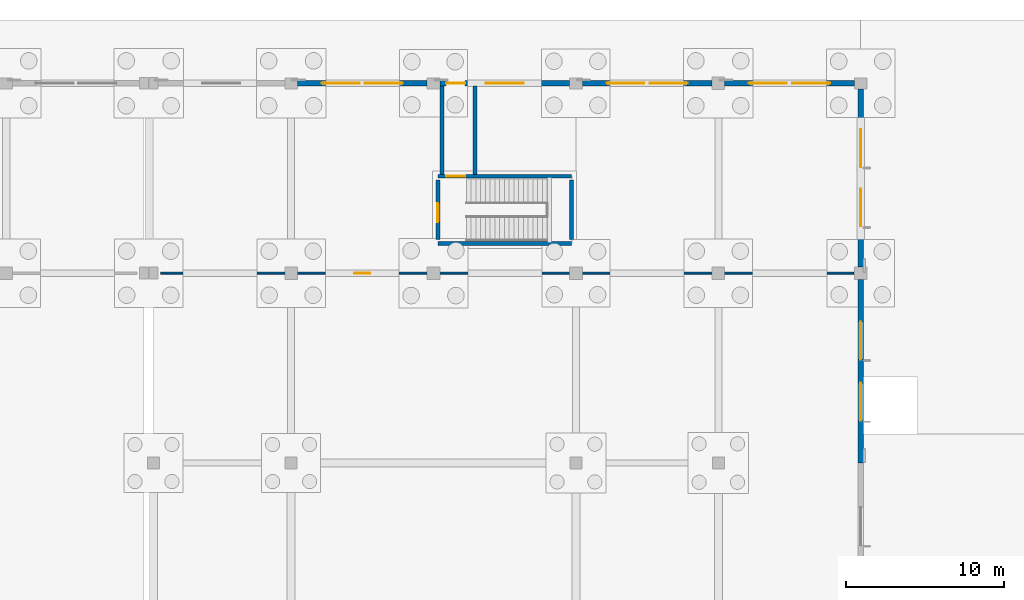
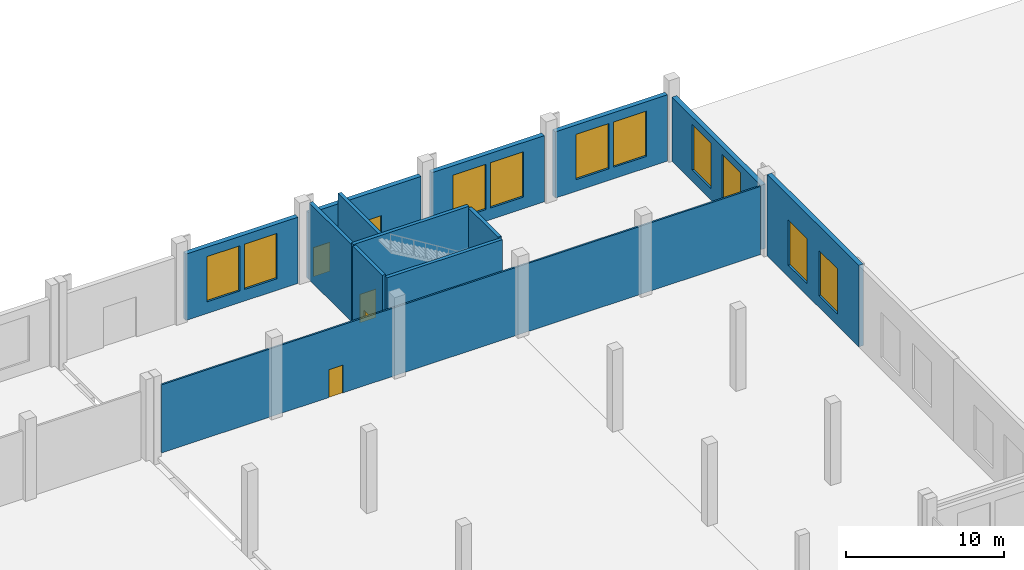
# One storey, part 74 of 99: 13 walls, 10 windows, 5 doors, 15 openings.
"""IFC4 building model written with IfcOpenShell, lengths in metres."""

from ifc_helpers import new_model, si_unit, direction, frame, frame_2d, origin, place, context, subcontext, project, spatial, rectangle, extrude, material, layer, layer_set, type_object, element, fill, save


model = new_model("IFC4")

# Units and contexts
model_context = context("Model", 3, precision=1e-05, world=origin(), true_north=direction((0.0, 1.0)))
body_context = subcontext(model_context, "Body", "Model", "MODEL_VIEW")
ifc_project = project(units=[si_unit("LENGTHUNIT", "METRE"), si_unit("AREAUNIT", "SQUARE_METRE"), si_unit("VOLUMEUNIT", "CUBIC_METRE"), si_unit("PLANEANGLEUNIT", "RADIAN"), si_unit("MASSUNIT", "GRAM", prefix="KILO")], contexts=[model_context])

# Site, building, storey
site_placement = place(None, origin())
site = spatial("IfcSite", under=ifc_project, at=site_placement, CompositionType="ELEMENT")
building_placement = place(site_placement, origin())
building = spatial("IfcBuilding", under=site, at=building_placement, Name="Zacnel Wholesale Market", CompositionType="ELEMENT")
storey_placement = place(building_placement, origin())
storey = spatial("IfcBuildingStorey", under=building, at=storey_placement, Name="L01", CompositionType="ELEMENT", Elevation=0.0)

# Walls
ifc_material_1 = material(Name="Concrete C40/50", Category="concrete")
ifc_layer_1 = layer(ifc_material_1, 0.2548828125)
ifc_layer_set_1 = layer_set([ifc_layer_1], Name="Concrete C40/50")
wall_type_1 = type_object("IfcWallType", Name="WL-COMP-FW250", PredefinedType="STANDARD", material=ifc_layer_set_1)
for number, where, z_axis, x_axis, name in (
    (1, (162.532470703125, 138.25, 0.0), (0.0, 0.0, 1.0), (0.0, 1.0, 0.0), "Exit passage ST-21 fire barrier wall 1"),
    (2, (164.62744140625, 138.25, 0.0), (0.0, 0.0, 1.0), (0.0, 1.0, 0.0), "Exit passage ST-21 fire barrier wall 2"),
):
    element("IfcWall", number, at=place(storey_placement, frame(where, z_axis=z_axis, x_axis=x_axis)), inside=storey, type_object=wall_type_1, Name=name, PredefinedType="STANDARD", context=body_context, shape_type="SweptSolid", body=[
        extrude(rectangle(XDim=5.580078125, YDim=0.2548828125, at=frame_2d((2.7900390625, 0.0))), origin(), (0.0, 0.0, 1.0), 5.949951171875),
    ])
ifc_material_2 = material(Name="Concrete C40/50", Category="concrete")
ifc_layer_2 = layer(ifc_material_2, 0.25)
ifc_layer_set_2 = layer_set([ifc_layer_2], Name="Concrete C40/50")
wall_type_2 = type_object("IfcWallType", Name="WL-CORE-SW250", PredefinedType="SOLIDWALL", material=ifc_layer_set_2)
wall_1_placement = place(storey_placement, frame((162.27490234375, 133.875, -0.5), z_axis=(0.0, 0.0, 1.0), x_axis=(1.0, 0.0, 0.0)))
element("IfcWall", 3, at=wall_1_placement, inside=storey, type_object=wall_type_2, Name="Stair ST-21 south enclosure wall L01", PredefinedType="SOLIDWALL", context=body_context, shape_type="SweptSolid", body=[
    extrude(rectangle(XDim=8.4501953125, YDim=0.25, at=frame_2d((4.22509765625, 0.0))), origin(), (0.0, 0.0, 1.0), 6.800048828125),
])

# Wall, opening, door
wall_2_placement = place(storey_placement, frame((162.27490234375, 138.125, -0.5), z_axis=(0.0, 0.0, 1.0), x_axis=(1.0, 0.0, 0.0)))
wall_2 = element("IfcWall", 4, at=wall_2_placement, inside=storey, type_object=wall_type_2, Name="Stair ST-21 north enclosure wall L01", PredefinedType="SOLIDWALL", context=body_context, shape_type="SweptSolid", body=[
    extrude(rectangle(XDim=8.4501953125, YDim=0.25, at=frame_2d((4.22509765625, 0.0))), origin(), (0.0, 0.0, 1.0), 6.800048828125),
])
opening_1_placement = place(wall_2_placement, frame((0.52490234375, 0.0, 0.5)))
opening_1 = element("IfcOpeningElement", 5, at=opening_1_placement, cuts=wall_2, Name="Opening FD-01", PredefinedType="OPENING", context=body_context, shape_type="SweptSolid", body=[
    extrude(rectangle(XDim=1.199951171875, YDim=2.199951171875, at=frame_2d((0.60009765625, 1.10009765625))), frame((0.0, 0.135009765625, 0.0), z_axis=(0.0, -1.0, 0.0), x_axis=(1.0, 0.0, 0.0)), (0.0, 0.0, 1.0), 0.27001953125),
])
ifc_material_3 = material(Name="Galvanized steel", Category="steel")
door_type_1 = type_object("IfcDoorType", Name="DR-FIRE-STAIR-1200", OperationType="NOTDEFINED", PredefinedType="DOOR", material=ifc_material_3)
door_1_placement = place(opening_1_placement, origin())
door_1 = element("IfcDoor", 6, at=door_1_placement, inside=storey, type_object=door_type_1, Name="Stair ST-21 exit passage fire door L01", OperationType="SINGLE_SWING_RIGHT", OverallHeight=2.199951171875, OverallWidth=1.199951171875, PredefinedType="DOOR", context=body_context, shape_type="SweptSolid", body=[
    extrude(rectangle(XDim=1.199951171875, YDim=2.199951171875, at=frame_2d((0.60009765625, 1.10009765625))), frame((0.0, 0.02490234375, 0.0), z_axis=(0.0, -1.0, 0.0), x_axis=(1.0, 0.0, 0.0)), (0.0, 0.0, 1.0), 0.050048828125),
])
fill(opening_1, door_1)

wall_3_placement = place(storey_placement, frame((162.27490234375, 134.125, -0.5), z_axis=(0.0, 0.0, 1.0), x_axis=(0.0, 1.0, 0.0)))
wall_3 = element("IfcWall", 7, at=wall_3_placement, inside=storey, type_object=wall_type_2, Name="Stair ST-21 west enclosure wall L01", PredefinedType="SOLIDWALL", context=body_context, shape_type="SweptSolid", body=[
    extrude(rectangle(XDim=3.75, YDim=0.25, at=frame_2d((1.875, 0.0))), origin(), (0.0, 0.0, 1.0), 6.800048828125),
])
opening_2_placement = place(wall_3_placement, frame((1.10009765625, 0.0, 0.5)))
opening_2 = element("IfcOpeningElement", 8, at=opening_2_placement, cuts=wall_3, Name="Opening FD-01", PredefinedType="OPENING", context=body_context, shape_type="SweptSolid", body=[
    extrude(rectangle(XDim=1.199951171875, YDim=2.199951171875, at=frame_2d((0.60009765625, 1.10009765625))), frame((0.0, 0.135009765625, 0.0), z_axis=(0.0, -1.0, 0.0), x_axis=(1.0, 0.0, 0.0)), (0.0, 0.0, 1.0), 0.27001953125),
])
door_2_placement = place(opening_2_placement, origin())
door_2 = element("IfcDoor", 9, at=door_2_placement, inside=storey, type_object=door_type_1, Name="Stair ST-21 fire door L01", OperationType="SINGLE_SWING_LEFT", OverallHeight=2.199951171875, OverallWidth=1.199951171875, PredefinedType="DOOR", context=body_context, shape_type="SweptSolid", body=[
    extrude(rectangle(XDim=1.199951171875, YDim=2.199951171875, at=frame_2d((0.60009765625, 1.10009765625))), frame((0.0, 0.02490234375, 0.0), z_axis=(0.0, -1.0, 0.0), x_axis=(1.0, 0.0, 0.0)), (0.0, 0.0, 1.0), 0.050048828125),
])
fill(opening_2, door_2)

# Wall
wall_4_placement = place(storey_placement, frame((170.72509765625, 134.125, -0.5), z_axis=(0.0, 0.0, 1.0), x_axis=(0.0, 1.0, 0.0)))
element("IfcWall", 10, at=wall_4_placement, inside=storey, type_object=wall_type_2, Name="Stair ST-21 east enclosure wall L01", PredefinedType="SOLIDWALL", context=body_context, shape_type="SweptSolid", body=[
    extrude(rectangle(XDim=3.75, YDim=0.25, at=frame_2d((1.875, 0.0))), origin(), (0.0, 0.0, 1.0), 6.800048828125),
])

# Wall, openings, windows
ifc_material_4 = material(Name="Precast concrete C40/50 (Cancun limestone aggregate)", Category="masonry")
ifc_layer_3 = layer(ifc_material_4, 0.340087890625)
ifc_layer_set_3 = layer_set([ifc_layer_3], Name="Precast concrete C40/50 (Cancun limestone aggregate)")
wall_type_3 = type_object("IfcWallType", Name="WL-EXT-LIME-340", PredefinedType="SOLIDWALL", material=ifc_layer_set_3)
wall_5_placement = place(storey_placement, frame((153.39990234375, 144.0, 0.0), z_axis=(0.0, 0.0, 1.0), x_axis=(1.0, 0.0, 0.0)))
wall_5 = element("IfcWall", 11, at=wall_5_placement, inside=storey, type_object=wall_type_3, Name="Exterior wall L01-0142", PredefinedType="SOLIDWALL", context=body_context, shape_type="SweptSolid", body=[
    extrude(rectangle(XDim=8.2001953125, YDim=0.340087890625, at=frame_2d((4.10009765625, 0.0))), origin(), (0.0, 0.0, 1.0), 5.1201171875),
])
opening_3_placement = place(wall_5_placement, frame((1.532958984375, 0.0, 0.89990234375)))
opening_3 = element("IfcOpeningElement", 12, at=opening_3_placement, cuts=wall_5, Name="Opening W-01", PredefinedType="OPENING", context=body_context, shape_type="SweptSolid", body=[
    extrude(rectangle(XDim=2.39990234375, YDim=3.5, at=frame_2d((1.199951171875, 1.75))), frame((0.0, 0.179931640625, 0.0), z_axis=(0.0, -1.0, 0.0), x_axis=(1.0, 0.0, 0.0)), (0.0, 0.0, 1.0), 0.360107421875),
])
opening_4_placement = place(wall_5_placement, frame((4.26708984375, 0.0, 0.89990234375)))
opening_4 = element("IfcOpeningElement", 13, at=opening_4_placement, cuts=wall_5, Name="Opening W-01", PredefinedType="OPENING", context=body_context, shape_type="SweptSolid", body=[
    extrude(rectangle(XDim=2.39990234375, YDim=3.5, at=frame_2d((1.199951171875, 1.75))), frame((0.0, 0.179931640625, 0.0), z_axis=(0.0, -1.0, 0.0), x_axis=(1.0, 0.0, 0.0)), (0.0, 0.0, 1.0), 0.360107421875),
])
ifc_material_5 = material(Name="Laminated hurricane-impact low-E insulated glass", Category="glass")
window_type = type_object("IfcWindowType", Name="WIN-DEC-2400X3500", PartitioningType="TRIPLE_PANEL_VERTICAL", PredefinedType="WINDOW", material=ifc_material_5)
window_1_placement = place(opening_3_placement, origin())
window_1 = element("IfcWindow", 14, at=window_1_placement, inside=storey, type_object=window_type, Name="Window L01-0140", OverallHeight=3.5, OverallWidth=2.39990234375, PartitioningType="TRIPLE_PANEL_VERTICAL", PredefinedType="WINDOW", context=body_context, shape_type="SweptSolid", body=[
    extrude(rectangle(XDim=2.39990234375, YDim=3.5, at=frame_2d((1.199951171875, 1.75))), frame((0.0, 0.030029296875, 0.0), z_axis=(0.0, -1.0, 0.0), x_axis=(1.0, 0.0, 0.0)), (0.0, 0.0, 1.0), 0.06005859375),
])
fill(opening_3, window_1)
window_2_placement = place(opening_4_placement, origin())
window_2 = element("IfcWindow", 15, at=window_2_placement, inside=storey, type_object=window_type, Name="Window L01-0141", OverallHeight=3.5, OverallWidth=2.39990234375, PartitioningType="TRIPLE_PANEL_VERTICAL", PredefinedType="WINDOW", context=body_context, shape_type="SweptSolid", body=[
    extrude(rectangle(XDim=2.39990234375, YDim=3.5, at=frame_2d((1.199951171875, 1.75))), frame((0.0, 0.030029296875, 0.0), z_axis=(0.0, -1.0, 0.0), x_axis=(1.0, 0.0, 0.0)), (0.0, 0.0, 1.0), 0.06005859375),
])
fill(opening_4, window_2)

# Wall, openings, doors
wall_6_placement = place(storey_placement, frame((162.39990234375, 144.0, 0.0), z_axis=(0.0, 0.0, 1.0), x_axis=(1.0, 0.0, 0.0)))
wall_6 = element("IfcWall", 16, at=wall_6_placement, inside=storey, type_object=wall_type_3, Name="Exterior wall L01-0143", PredefinedType="SOLIDWALL", context=body_context, shape_type="SweptSolid", body=[
    extrude(rectangle(XDim=8.2001953125, YDim=0.340087890625, at=frame_2d((4.10009765625, 0.0))), origin(), (0.0, 0.0, 1.0), 5.1201171875),
])
opening_5_placement = place(wall_6_placement, frame((2.89990234375, 0.0, 0.0)))
opening_5 = element("IfcOpeningElement", 17, at=opening_5_placement, cuts=wall_6, Name="Opening ED-01", PredefinedType="OPENING", context=body_context, shape_type="SweptSolid", body=[
    extrude(rectangle(XDim=2.39990234375, YDim=3.10009765625, at=frame_2d((1.199951171875, 1.550048828125))), frame((0.0, 0.179931640625, 0.0), z_axis=(0.0, -1.0, 0.0), x_axis=(1.0, 0.0, 0.0)), (0.0, 0.0, 1.0), 0.360107421875),
])
opening_6_placement = place(wall_6_placement, frame((0.39990234375, 0.0, 0.0)))
opening_6 = element("IfcOpeningElement", 18, at=opening_6_placement, cuts=wall_6, Name="Opening ED-04", PredefinedType="OPENING", context=body_context, shape_type="SweptSolid", body=[
    extrude(rectangle(XDim=1.199951171875, YDim=2.25, at=frame_2d((0.60009765625, 1.125))), frame((0.0, 0.179931640625, 0.0), z_axis=(0.0, -1.0, 0.0), x_axis=(1.0, 0.0, 0.0)), (0.0, 0.0, 1.0), 0.360107421875),
])
ifc_material_6 = material(Name="Galvanized steel S355", Category="steel")
door_type_2 = type_object("IfcDoorType", Name="DR-EXT-EXIT-1200", OperationType="NOTDEFINED", PredefinedType="DOOR", material=ifc_material_6)
door_3_placement = place(opening_6_placement, origin())
door_3 = element("IfcDoor", 19, at=door_3_placement, inside=storey, type_object=door_type_2, Name="Final exit door ST-21 to the north", OperationType="SINGLE_SWING_LEFT", OverallHeight=2.25, OverallWidth=1.199951171875, PredefinedType="DOOR", context=body_context, shape_type="SweptSolid", body=[
    extrude(rectangle(XDim=1.199951171875, YDim=2.25, at=frame_2d((0.60009765625, 1.125))), frame((0.0, 0.02490234375, 0.0), z_axis=(0.0, -1.0, 0.0), x_axis=(1.0, 0.0, 0.0)), (0.0, 0.0, 1.0), 0.050048828125),
])
fill(opening_6, door_3)
ifc_material_7 = material(Name="Anodised aluminium", Category="aluminium")
door_type_3 = type_object("IfcDoorType", Name="DR-EXT-PORTAL-2400", OperationType="NOTDEFINED", PredefinedType="DOOR", material=ifc_material_7)
door_4_placement = place(opening_5_placement, origin())
door_4 = element("IfcDoor", 20, at=door_4_placement, inside=storey, type_object=door_type_3, Name="Market hall civic portal 043", OperationType="DOUBLE_DOOR_SINGLE_SWING", OverallHeight=3.10009765625, OverallWidth=2.39990234375, PredefinedType="DOOR", context=body_context, shape_type="SweptSolid", body=[
    extrude(rectangle(XDim=2.39990234375, YDim=3.10009765625, at=frame_2d((1.199951171875, 1.550048828125))), frame((0.0, 0.02490234375, 0.0), z_axis=(0.0, -1.0, 0.0), x_axis=(1.0, 0.0, 0.0)), (0.0, 0.0, 1.0), 0.050048828125),
])
fill(opening_5, door_4)

# Wall, openings, windows
wall_7_placement = place(storey_placement, frame((171.39990234375, 144.0, 0.0), z_axis=(0.0, 0.0, 1.0), x_axis=(1.0, 0.0, 0.0)))
wall_7 = element("IfcWall", 21, at=wall_7_placement, inside=storey, type_object=wall_type_3, Name="Exterior wall L01-0144", PredefinedType="SOLIDWALL", context=body_context, shape_type="SweptSolid", body=[
    extrude(rectangle(XDim=8.2001953125, YDim=0.340087890625, at=frame_2d((4.10009765625, 0.0))), origin(), (0.0, 0.0, 1.0), 5.1201171875),
])
opening_7_placement = place(wall_7_placement, frame((1.532958984375, 0.0, 0.89990234375)))
opening_7 = element("IfcOpeningElement", 22, at=opening_7_placement, cuts=wall_7, Name="Opening W-01", PredefinedType="OPENING", context=body_context, shape_type="SweptSolid", body=[
    extrude(rectangle(XDim=2.39990234375, YDim=3.5, at=frame_2d((1.199951171875, 1.75))), frame((0.0, 0.179931640625, 0.0), z_axis=(0.0, -1.0, 0.0), x_axis=(1.0, 0.0, 0.0)), (0.0, 0.0, 1.0), 0.360107421875),
])
opening_8_placement = place(wall_7_placement, frame((4.26708984375, 0.0, 0.89990234375)))
opening_8 = element("IfcOpeningElement", 23, at=opening_8_placement, cuts=wall_7, Name="Opening W-01", PredefinedType="OPENING", context=body_context, shape_type="SweptSolid", body=[
    extrude(rectangle(XDim=2.39990234375, YDim=3.5, at=frame_2d((1.199951171875, 1.75))), frame((0.0, 0.179931640625, 0.0), z_axis=(0.0, -1.0, 0.0), x_axis=(1.0, 0.0, 0.0)), (0.0, 0.0, 1.0), 0.360107421875),
])
window_3_placement = place(opening_7_placement, origin())
window_3 = element("IfcWindow", 24, at=window_3_placement, inside=storey, type_object=window_type, Name="Window L01-0142", OverallHeight=3.5, OverallWidth=2.39990234375, PartitioningType="TRIPLE_PANEL_VERTICAL", PredefinedType="WINDOW", context=body_context, shape_type="SweptSolid", body=[
    extrude(rectangle(XDim=2.39990234375, YDim=3.5, at=frame_2d((1.199951171875, 1.75))), frame((0.0, 0.030029296875, 0.0), z_axis=(0.0, -1.0, 0.0), x_axis=(1.0, 0.0, 0.0)), (0.0, 0.0, 1.0), 0.06005859375),
])
fill(opening_7, window_3)
window_4_placement = place(opening_8_placement, origin())
window_4 = element("IfcWindow", 25, at=window_4_placement, inside=storey, type_object=window_type, Name="Window L01-0143", OverallHeight=3.5, OverallWidth=2.39990234375, PartitioningType="TRIPLE_PANEL_VERTICAL", PredefinedType="WINDOW", context=body_context, shape_type="SweptSolid", body=[
    extrude(rectangle(XDim=2.39990234375, YDim=3.5, at=frame_2d((1.199951171875, 1.75))), frame((0.0, 0.030029296875, 0.0), z_axis=(0.0, -1.0, 0.0), x_axis=(1.0, 0.0, 0.0)), (0.0, 0.0, 1.0), 0.06005859375),
])
fill(opening_8, window_4)

wall_8_placement = place(storey_placement, frame((180.39990234375, 144.0, 0.0), z_axis=(0.0, 0.0, 1.0), x_axis=(1.0, 0.0, 0.0)))
wall_8 = element("IfcWall", 26, at=wall_8_placement, inside=storey, type_object=wall_type_3, Name="Exterior wall L01-0145", PredefinedType="SOLIDWALL", context=body_context, shape_type="SweptSolid", body=[
    extrude(rectangle(XDim=8.2001953125, YDim=0.340087890625, at=frame_2d((4.10009765625, 0.0))), origin(), (0.0, 0.0, 1.0), 5.1201171875),
])
opening_9_placement = place(wall_8_placement, frame((1.532958984375, 0.0, 0.89990234375)))
opening_9 = element("IfcOpeningElement", 27, at=opening_9_placement, cuts=wall_8, Name="Opening W-01", PredefinedType="OPENING", context=body_context, shape_type="SweptSolid", body=[
    extrude(rectangle(XDim=2.39990234375, YDim=3.5, at=frame_2d((1.199951171875, 1.75))), frame((0.0, 0.179931640625, 0.0), z_axis=(0.0, -1.0, 0.0), x_axis=(1.0, 0.0, 0.0)), (0.0, 0.0, 1.0), 0.360107421875),
])
opening_10_placement = place(wall_8_placement, frame((4.26708984375, 0.0, 0.89990234375)))
opening_10 = element("IfcOpeningElement", 28, at=opening_10_placement, cuts=wall_8, Name="Opening W-01", PredefinedType="OPENING", context=body_context, shape_type="SweptSolid", body=[
    extrude(rectangle(XDim=2.39990234375, YDim=3.5, at=frame_2d((1.199951171875, 1.75))), frame((0.0, 0.179931640625, 0.0), z_axis=(0.0, -1.0, 0.0), x_axis=(1.0, 0.0, 0.0)), (0.0, 0.0, 1.0), 0.360107421875),
])
window_5_placement = place(opening_9_placement, origin())
window_5 = element("IfcWindow", 29, at=window_5_placement, inside=storey, type_object=window_type, Name="Window L01-0144", OverallHeight=3.5, OverallWidth=2.39990234375, PartitioningType="TRIPLE_PANEL_VERTICAL", PredefinedType="WINDOW", context=body_context, shape_type="SweptSolid", body=[
    extrude(rectangle(XDim=2.39990234375, YDim=3.5, at=frame_2d((1.199951171875, 1.75))), frame((0.0, 0.030029296875, 0.0), z_axis=(0.0, -1.0, 0.0), x_axis=(1.0, 0.0, 0.0)), (0.0, 0.0, 1.0), 0.06005859375),
])
fill(opening_9, window_5)
window_6_placement = place(opening_10_placement, origin())
window_6 = element("IfcWindow", 30, at=window_6_placement, inside=storey, type_object=window_type, Name="Window L01-0145", OverallHeight=3.5, OverallWidth=2.39990234375, PartitioningType="TRIPLE_PANEL_VERTICAL", PredefinedType="WINDOW", context=body_context, shape_type="SweptSolid", body=[
    extrude(rectangle(XDim=2.39990234375, YDim=3.5, at=frame_2d((1.199951171875, 1.75))), frame((0.0, 0.030029296875, 0.0), z_axis=(0.0, -1.0, 0.0), x_axis=(1.0, 0.0, 0.0)), (0.0, 0.0, 1.0), 0.06005859375),
])
fill(opening_10, window_6)

wall_9_placement = place(storey_placement, frame((189.0, 120.0, 0.0), z_axis=(0.0, 0.0, 1.0), x_axis=(0.0, 1.0, 0.0)))
wall_9 = element("IfcWall", 31, at=wall_9_placement, inside=storey, type_object=wall_type_3, Name="Exterior wall L01-0152", PredefinedType="SOLIDWALL", context=body_context, shape_type="SweptSolid", body=[
    extrude(rectangle(XDim=11.60009765625, YDim=0.340087890625, at=frame_2d((5.800048828125, 0.0))), origin(), (0.0, 0.0, 1.0), 6.300048828125),
])
opening_11_placement = place(wall_9_placement, frame((2.6669921875, 0.0, 0.89990234375)))
opening_11 = element("IfcOpeningElement", 32, at=opening_11_placement, cuts=wall_9, Name="Opening W-01", PredefinedType="OPENING", context=body_context, shape_type="SweptSolid", body=[
    extrude(rectangle(XDim=2.39990234375, YDim=3.5, at=frame_2d((1.199951171875, 1.75))), frame((0.0, 0.179931640625, 0.0), z_axis=(0.0, -1.0, 0.0), x_axis=(1.0, 0.0, 0.0)), (0.0, 0.0, 1.0), 0.360107421875),
])
opening_12_placement = place(wall_9_placement, frame((6.532958984375, 0.0, 0.89990234375)))
opening_12 = element("IfcOpeningElement", 33, at=opening_12_placement, cuts=wall_9, Name="Opening W-01", PredefinedType="OPENING", context=body_context, shape_type="SweptSolid", body=[
    extrude(rectangle(XDim=2.39990234375, YDim=3.5, at=frame_2d((1.199951171875, 1.75))), frame((0.0, 0.179931640625, 0.0), z_axis=(0.0, -1.0, 0.0), x_axis=(1.0, 0.0, 0.0)), (0.0, 0.0, 1.0), 0.360107421875),
])
window_7_placement = place(opening_11_placement, origin())
window_7 = element("IfcWindow", 34, at=window_7_placement, inside=storey, type_object=window_type, Name="Window L01-0158", OverallHeight=3.5, OverallWidth=2.39990234375, PartitioningType="TRIPLE_PANEL_VERTICAL", PredefinedType="WINDOW", context=body_context, shape_type="SweptSolid", body=[
    extrude(rectangle(XDim=2.39990234375, YDim=3.5, at=frame_2d((1.199951171875, 1.75))), frame((0.0, 0.030029296875, 0.0), z_axis=(0.0, -1.0, 0.0), x_axis=(1.0, 0.0, 0.0)), (0.0, 0.0, 1.0), 0.06005859375),
])
fill(opening_11, window_7)
window_8_placement = place(opening_12_placement, origin())
window_8 = element("IfcWindow", 35, at=window_8_placement, inside=storey, type_object=window_type, Name="Window L01-0159", OverallHeight=3.5, OverallWidth=2.39990234375, PartitioningType="TRIPLE_PANEL_VERTICAL", PredefinedType="WINDOW", context=body_context, shape_type="SweptSolid", body=[
    extrude(rectangle(XDim=2.39990234375, YDim=3.5, at=frame_2d((1.199951171875, 1.75))), frame((0.0, 0.030029296875, 0.0), z_axis=(0.0, -1.0, 0.0), x_axis=(1.0, 0.0, 0.0)), (0.0, 0.0, 1.0), 0.06005859375),
])
fill(opening_12, window_8)

wall_10_placement = place(storey_placement, frame((189.0, 132.39990234375, 0.0), z_axis=(0.0, 0.0, 1.0), x_axis=(0.0, 1.0, 0.0)))
wall_10 = element("IfcWall", 36, at=wall_10_placement, inside=storey, type_object=wall_type_3, Name="Exterior wall L01-0153", PredefinedType="SOLIDWALL", context=body_context, shape_type="SweptSolid", body=[
    extrude(rectangle(XDim=11.25, YDim=0.340087890625, at=frame_2d((5.625, 0.0))), origin(), (0.0, 0.0, 1.0), 4.969970703125),
])
opening_13_placement = place(wall_10_placement, frame((2.550048828125, 0.0, 0.89990234375)))
opening_13 = element("IfcOpeningElement", 37, at=opening_13_placement, cuts=wall_10, Name="Opening W-01", PredefinedType="OPENING", context=body_context, shape_type="SweptSolid", body=[
    extrude(rectangle(XDim=2.39990234375, YDim=3.5, at=frame_2d((1.199951171875, 1.75))), frame((0.0, 0.179931640625, 0.0), z_axis=(0.0, -1.0, 0.0), x_axis=(1.0, 0.0, 0.0)), (0.0, 0.0, 1.0), 0.360107421875),
])
opening_14_placement = place(wall_10_placement, frame((6.300048828125, 0.0, 0.89990234375)))
opening_14 = element("IfcOpeningElement", 38, at=opening_14_placement, cuts=wall_10, Name="Opening W-01", PredefinedType="OPENING", context=body_context, shape_type="SweptSolid", body=[
    extrude(rectangle(XDim=2.39990234375, YDim=3.5, at=frame_2d((1.199951171875, 1.75))), frame((0.0, 0.179931640625, 0.0), z_axis=(0.0, -1.0, 0.0), x_axis=(1.0, 0.0, 0.0)), (0.0, 0.0, 1.0), 0.360107421875),
])
window_9_placement = place(opening_13_placement, origin())
window_9 = element("IfcWindow", 39, at=window_9_placement, inside=storey, type_object=window_type, Name="Window L01-0160", OverallHeight=3.5, OverallWidth=2.39990234375, PartitioningType="TRIPLE_PANEL_VERTICAL", PredefinedType="WINDOW", context=body_context, shape_type="SweptSolid", body=[
    extrude(rectangle(XDim=2.39990234375, YDim=3.5, at=frame_2d((1.199951171875, 1.75))), frame((0.0, 0.030029296875, 0.0), z_axis=(0.0, -1.0, 0.0), x_axis=(1.0, 0.0, 0.0)), (0.0, 0.0, 1.0), 0.06005859375),
])
fill(opening_13, window_9)
window_10_placement = place(opening_14_placement, origin())
window_10 = element("IfcWindow", 40, at=window_10_placement, inside=storey, type_object=window_type, Name="Window L01-0161", OverallHeight=3.5, OverallWidth=2.39990234375, PartitioningType="TRIPLE_PANEL_VERTICAL", PredefinedType="WINDOW", context=body_context, shape_type="SweptSolid", body=[
    extrude(rectangle(XDim=2.39990234375, YDim=3.5, at=frame_2d((1.199951171875, 1.75))), frame((0.0, 0.030029296875, 0.0), z_axis=(0.0, -1.0, 0.0), x_axis=(1.0, 0.0, 0.0)), (0.0, 0.0, 1.0), 0.06005859375),
])
fill(opening_14, window_10)

# Wall, opening, door
ifc_material_8 = material(Name="Moisture-resistant gypsum board partition")
ifc_layer_4 = layer(ifc_material_8, 0.125)
ifc_layer_set_4 = layer_set([ifc_layer_4], Name="Moisture-resistant gypsum board partition")
wall_type_4 = type_object("IfcWallType", Name="WL-PART-GYP125", PredefinedType="PARTITIONING", material=ifc_layer_set_4)
wall_11_placement = place(storey_placement, frame((144.75, 132.0, 0.0), z_axis=(0.0, 0.0, 1.0), x_axis=(1.0, 0.0, 0.0)))
wall_11 = element("IfcWall", 41, at=wall_11_placement, inside=storey, type_object=wall_type_4, Name="Interior partition L01-0030", PredefinedType="PARTITIONING", context=body_context, shape_type="SweptSolid", body=[
    extrude(rectangle(XDim=43.800048828125, YDim=0.125, at=frame_2d((21.89990234375, 0.0))), origin(), (0.0, 0.0, 1.0), 5.27001953125),
])
opening_15_placement = place(wall_11_placement, frame((12.25, 0.0, 0.0)))
opening_15 = element("IfcOpeningElement", 42, at=opening_15_placement, cuts=wall_11, Name="Opening ID-03", PredefinedType="OPENING", context=body_context, shape_type="SweptSolid", body=[
    extrude(rectangle(XDim=1.0, YDim=2.14990234375, at=frame_2d((0.5, 1.074951171875))), frame((0.0, 0.072509765625, 0.0), z_axis=(0.0, -1.0, 0.0), x_axis=(1.0, 0.0, 0.0)), (0.0, 0.0, 1.0), 0.14501953125),
])
ifc_material_9 = material(Name="Solid-core tropical hardwood door", Category="wood")
door_type_4 = type_object("IfcDoorType", Name="DR-OFF-SGL-1000", OperationType="NOTDEFINED", PredefinedType="DOOR", material=ifc_material_9)
door_5_placement = place(opening_15_placement, origin())
door_5 = element("IfcDoor", 43, at=door_5_placement, inside=storey, type_object=door_type_4, Name="Interior door L01-0026", OperationType="SINGLE_SWING_LEFT", OverallHeight=2.14990234375, OverallWidth=1.0, PredefinedType="DOOR", context=body_context, shape_type="SweptSolid", body=[
    extrude(rectangle(XDim=1.0, YDim=2.14990234375, at=frame_2d((0.5, 1.074951171875))), frame((0.0, 0.02490234375, 0.0), z_axis=(0.0, -1.0, 0.0), x_axis=(1.0, 0.0, 0.0)), (0.0, 0.0, 1.0), 0.050048828125),
])
fill(opening_15, door_5)

save(model, "model.ifc")
